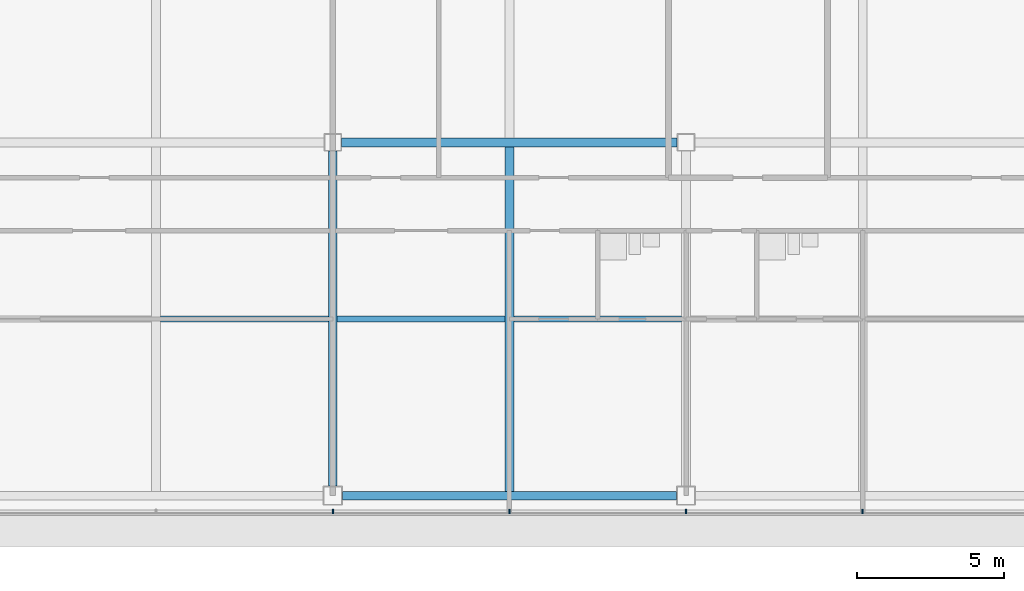
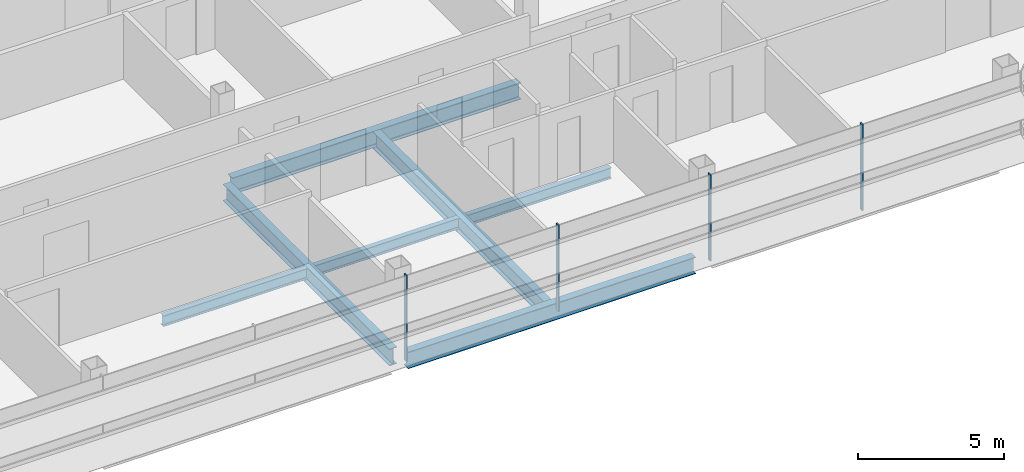
# One storey, part 8 of 26: 7 beams, 4 members, 1 element without a shape of its own.
"""IFC4 building model written with IfcOpenShell, lengths in metres."""

from ifc_helpers import new_model, si_unit, direction, frame, origin, origin_2d, place, context, subcontext, project, spatial, rectangle, i_section, extrude, material, material_profile, profile_set, type_object, element, aggregate, save


model = new_model("IFC4")

# Units and contexts
model_context = context("Model", 3, precision=1e-05, world=origin(), true_north=direction((0.0, 1.0)))
body_context = subcontext(model_context, "Body", "Model", "MODEL_VIEW")
ifc_project = project(units=[si_unit("LENGTHUNIT", "METRE"), si_unit("AREAUNIT", "SQUARE_METRE"), si_unit("VOLUMEUNIT", "CUBIC_METRE"), si_unit("PLANEANGLEUNIT", "RADIAN"), si_unit("MASSUNIT", "GRAM", prefix="KILO")], contexts=[model_context])

# Site, building, storey
site_placement = place(None, origin())
site = spatial("IfcSite", under=ifc_project, at=site_placement, CompositionType="ELEMENT")
building_placement = place(site_placement, origin())
building = spatial("IfcBuilding", under=site, at=building_placement, Name="Sorahane Residences", CompositionType="ELEMENT")
storey_placement = place(building_placement, frame((0.0, 0.0, 243.199951171875)))
storey = spatial("IfcBuildingStorey", under=building, at=storey_placement, Name="L57", CompositionType="ELEMENT", Elevation=243.199951171875)

# Curtain wall, members
ifc_material_1 = material(Name="Dark low-e glass and black anodised aluminium", Category="aluminium")
curtain_wall_type = type_object("IfcCurtainWallType", Name="Curtain wall CW-1 Typical unitised wall", PredefinedType="NOTDEFINED", material=ifc_material_1)
curtain_wall_placement = place(storey_placement, origin())
curtain_wall = element("IfcCurtainWall", 1, at=curtain_wall_placement, inside=storey, type_object=curtain_wall_type, Name="CW-1 curtain wall L57 S1", PredefinedType="NOTDEFINED")
ifc_material_2 = material(Name="Black anodised aluminium", Category="aluminium")
ifc_material_profile_1 = material_profile(ifc_material_2, rectangle(XDim=0.159912109375, YDim=0.050048828125, at=origin_2d()), Name="Curtain wall mullion CW-1 black anodised aluminium 50x160")
ifc_profile_set_1 = profile_set([ifc_material_profile_1], Name="Black anodised aluminium")
member_type = type_object("IfcMemberType", Name="Curtain wall mullion CW-1 black anodised aluminium 50x160", PredefinedType="MULLION", material=ifc_profile_set_1)
member_1_placement = place(storey_placement, frame((24.0, -0.5400390625, -0.179931640625), z_axis=(0.0, 0.0, 1.0), x_axis=(0.0, -1.0, 0.0)))
member_1 = element("IfcMember", 2, at=member_1_placement, type_object=member_type, Name="CW-1 mullion L57 S1.6", PredefinedType="MULLION", context=body_context, shape_type="SweptSolid", body=[
    extrude(rectangle(XDim=0.159912109375, YDim=0.050048828125, at=origin_2d()), origin(), (0.0, 0.0, 1.0), 3.60009765625),
])
member_2_placement = place(storey_placement, frame((30.0, -0.5400390625, -0.179931640625), z_axis=(0.0, 0.0, 1.0), x_axis=(0.0, -1.0, 0.0)))
member_2 = element("IfcMember", 3, at=member_2_placement, type_object=member_type, Name="CW-1 mullion L57 S1.7", PredefinedType="MULLION", context=body_context, shape_type="SweptSolid", body=[
    extrude(rectangle(XDim=0.159912109375, YDim=0.050048828125, at=origin_2d()), origin(), (0.0, 0.0, 1.0), 3.60009765625),
])
member_3_placement = place(storey_placement, frame((36.0, -0.5400390625, -0.179931640625), z_axis=(0.0, 0.0, 1.0), x_axis=(0.0, -1.0, 0.0)))
member_3 = element("IfcMember", 4, at=member_3_placement, type_object=member_type, Name="CW-1 mullion L57 S1.8", PredefinedType="MULLION", context=body_context, shape_type="SweptSolid", body=[
    extrude(rectangle(XDim=0.159912109375, YDim=0.050048828125, at=origin_2d()), origin(), (0.0, 0.0, 1.0), 3.60009765625),
])
member_4_placement = place(storey_placement, frame((42.0, -0.5400390625, -0.179931640625), z_axis=(0.0, 0.0, 1.0), x_axis=(0.0, -1.0, 0.0)))
member_4 = element("IfcMember", 5, at=member_4_placement, type_object=member_type, Name="CW-1 mullion L57 S1.9", PredefinedType="MULLION", context=body_context, shape_type="SweptSolid", body=[
    extrude(rectangle(XDim=0.159912109375, YDim=0.050048828125, at=origin_2d()), origin(), (0.0, 0.0, 1.0), 3.60009765625),
])
aggregate(curtain_wall, [member_1, member_2, member_3, member_4])

# Beams
ifc_material_3 = material(Name="Steel Q355B", Category="steel")
ifc_material_profile_2 = material_profile(ifc_material_3, i_section(OverallWidth=0.199951171875, OverallDepth=0.449951171875, WebThickness=0.009033203125, FlangeThickness=0.013916015625, FilletRadius=0.02001953125, at=origin_2d()), Name="HN 450x200x9x14")
ifc_profile_set_2 = profile_set([ifc_material_profile_2], Name="Steel Q355B")
beam_type_1 = type_object("IfcBeamType", Name="Steel floor beam HN 450x200x9x14 Q355B", PredefinedType="BEAM", material=ifc_profile_set_2)
for number, where, z_axis, x_axis, name in (
    (6, (18.14990234375, 6.0, -0.405029296875), (1.0, 0.0, 0.0), (0.0, 1.0, 0.0), "Beam L57 072"),
    (7, (24.14990234375, 6.0, -0.405029296875), (1.0, 0.0, 0.0), (0.0, 1.0, 0.0), "Beam L57 073"),
    (8, (30.14990234375, 6.0, -0.405029296875), (1.0, 0.0, 0.0), (0.0, 1.0, 0.0), "Beam L57 074"),
):
    element("IfcBeam", number, at=place(storey_placement, frame(where, z_axis=z_axis, x_axis=x_axis)), inside=storey, type_object=beam_type_1, Name=name, PredefinedType="BEAM", context=body_context, shape_type="SweptSolid", body=[
        extrude(i_section(OverallWidth=0.199951171875, OverallDepth=0.449951171875, WebThickness=0.009033203125, FlangeThickness=0.013916015625, FilletRadius=0.02001953125, at=origin_2d()), origin(), (0.0, 0.0, 1.0), 5.7001953125),
    ])
ifc_material_4 = material(Name="Steel Q355B", Category="steel")
ifc_material_profile_3 = material_profile(ifc_material_4, i_section(OverallWidth=0.300048828125, OverallDepth=0.699951171875, WebThickness=0.012939453125, FlangeThickness=0.02392578125, FilletRadius=0.028076171875, at=origin_2d()), Name="HN 700x300x13x24")
ifc_profile_set_3 = profile_set([ifc_material_profile_3], Name="Steel Q355B")
beam_type_2 = type_object("IfcBeamType", Name="Steel floor beam HN 700x300x13x24 Q355B", PredefinedType="BEAM", material=ifc_profile_set_3)
beam_1_placement = place(storey_placement, frame((24.324951171875, 0.0, -0.530029296875), z_axis=(1.0, 0.0, 0.0), x_axis=(0.0, 1.0, 0.0)))
element("IfcBeam", 9, at=beam_1_placement, inside=storey, type_object=beam_type_2, Name="Beam L57 003", PredefinedType="BEAM", context=body_context, shape_type="SweptSolid", body=[
    extrude(i_section(OverallWidth=0.300048828125, OverallDepth=0.699951171875, WebThickness=0.012939453125, FlangeThickness=0.02392578125, FilletRadius=0.028076171875, at=origin_2d()), origin(), (0.0, 0.0, 1.0), 11.35009765625),
])
beam_2_placement = place(storey_placement, frame((24.300048828125, 12.0, -0.530029296875), z_axis=(1.0, 0.0, 0.0), x_axis=(0.0, 1.0, 0.0)))
element("IfcBeam", 10, at=beam_2_placement, inside=storey, type_object=beam_type_2, Name="Beam L57 008", PredefinedType="BEAM", context=body_context, shape_type="SweptSolid", body=[
    extrude(i_section(OverallWidth=0.300048828125, OverallDepth=0.699951171875, WebThickness=0.012939453125, FlangeThickness=0.02392578125, FilletRadius=0.028076171875, at=origin_2d()), origin(), (0.0, 0.0, 1.0), 11.39990234375),
])
beam_3_placement = place(storey_placement, frame((24.0, 0.324951171875, -0.530029296875), z_axis=(0.0, 1.0, 0.0), x_axis=(-1.0, 0.0, 0.0)))
element("IfcBeam", 11, at=beam_3_placement, inside=storey, type_object=beam_type_2, Name="Beam L57 042", PredefinedType="BEAM", context=body_context, shape_type="SweptSolid", body=[
    extrude(i_section(OverallWidth=0.300048828125, OverallDepth=0.699951171875, WebThickness=0.012939453125, FlangeThickness=0.02392578125, FilletRadius=0.028076171875, at=origin_2d()), origin(), (0.0, 0.0, 1.0), 11.375),
])
beam_4_placement = place(storey_placement, frame((30.0, 0.14990234375, -0.530029296875), z_axis=(0.0, 1.0, 0.0), x_axis=(-1.0, 0.0, 0.0)))
element("IfcBeam", 12, at=beam_4_placement, inside=storey, type_object=beam_type_2, Name="Beam L57 044", PredefinedType="BEAM", context=body_context, shape_type="SweptSolid", body=[
    extrude(i_section(OverallWidth=0.300048828125, OverallDepth=0.699951171875, WebThickness=0.012939453125, FlangeThickness=0.02392578125, FilletRadius=0.028076171875, at=origin_2d()), origin(), (0.0, 0.0, 1.0), 11.7001953125),
])

save(model, "model.ifc")
